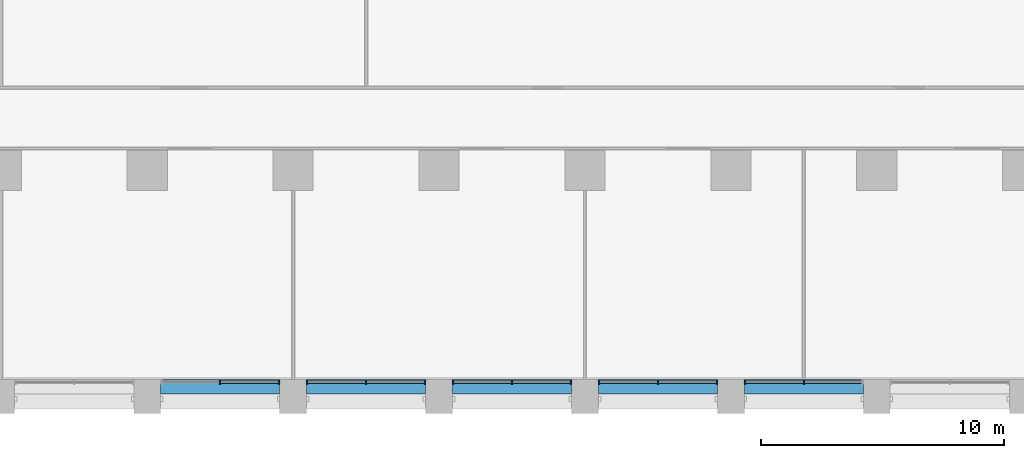
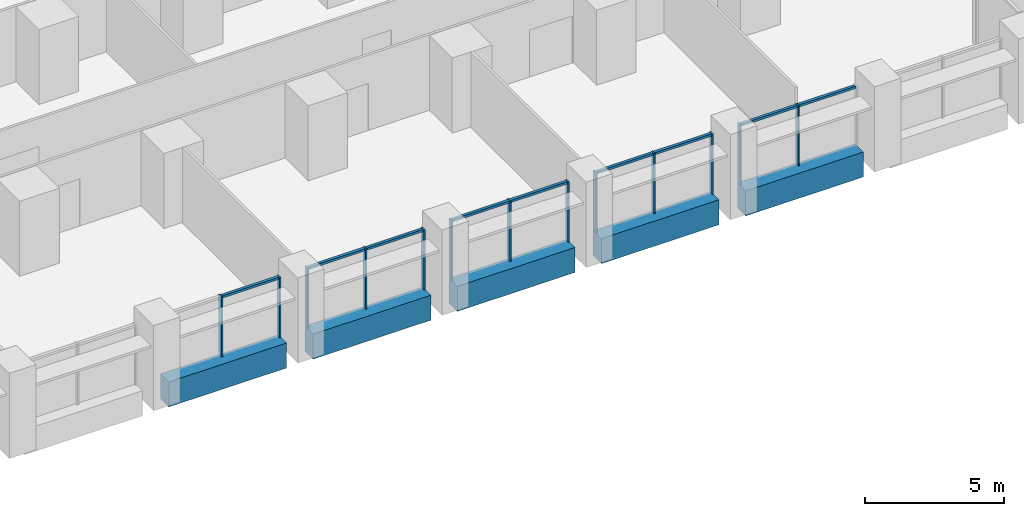
# One storey, part 3 of 18: 22 members, 5 beams, 5 elements without a shape of their own.
"""IFC4 building model written with IfcOpenShell, lengths in metres."""

from ifc_helpers import new_model, si_unit, direction, frame, origin, origin_2d, place, context, subcontext, project, spatial, rectangle, extrude, material, material_profile, profile_set, type_object, element, aggregate, save


model = new_model("IFC4")

# Units and contexts
model_context = context("Model", 3, precision=1e-05, world=origin(), true_north=direction((0.0, 1.0)))
body_context = subcontext(model_context, "Body", "Model", "MODEL_VIEW")
ifc_project = project(units=[si_unit("LENGTHUNIT", "METRE"), si_unit("AREAUNIT", "SQUARE_METRE"), si_unit("VOLUMEUNIT", "CUBIC_METRE"), si_unit("PLANEANGLEUNIT", "RADIAN"), si_unit("MASSUNIT", "GRAM", prefix="KILO")], contexts=[model_context])

# Site, building, storey
site_placement = place(None, origin())
site = spatial("IfcSite", under=ifc_project, at=site_placement, CompositionType="ELEMENT")
building_placement = place(site_placement, origin())
building = spatial("IfcBuilding", under=site, at=building_placement, Name="Calvaro Tower", CompositionType="ELEMENT")
storey_placement = place(building_placement, frame((0.0, 0.0, 56.25)))
storey = spatial("IfcBuildingStorey", under=building, at=storey_placement, Name="L13", CompositionType="ELEMENT", Elevation=56.25)

# Curtain wall, members
ifc_material_1 = material(Name="Anodised aluminium", Category="aluminium")
curtain_wall_type = type_object("IfcCurtainWallType", Name="Office curtain wall, lower zone", PredefinedType="NOTDEFINED", material=ifc_material_1)
curtain_wall_1_placement = place(storey_placement, origin())
curtain_wall_1 = element("IfcCurtainWall", 1, at=curtain_wall_1_placement, inside=storey, type_object=curtain_wall_type, Name="CW1 south curtain wall", PredefinedType="NOTDEFINED")
ifc_material_2 = material(Name="Anodised aluminium", Category="aluminium")
ifc_material_profile_1 = material_profile(ifc_material_2, rectangle(XDim=0.199951171875, YDim=0.06005859375, at=origin_2d()), Name="Mullion S1 60 x 200")
ifc_profile_set_1 = profile_set([ifc_material_profile_1], Name="Anodised aluminium")
member_type_1 = type_object("IfcMemberType", Name="Mullion S1 60 x 200", PredefinedType="MULLION", material=ifc_profile_set_1)
member_1_placement = place(storey_placement, frame((39.0, 1.300048828125, 0.0), z_axis=(0.0, 0.0, 1.0), x_axis=(0.0, 1.0, 0.0)))
member_1 = element("IfcMember", 2, at=member_1_placement, type_object=member_type_1, Name="CW1 mullion 2", PredefinedType="MULLION", context=body_context, shape_type="SweptSolid", body=[
    extrude(rectangle(XDim=0.199951171875, YDim=0.06005859375, at=origin_2d()), origin(), (0.0, 0.0, 1.0), 2.64990234375),
])
member_2_placement = place(storey_placement, frame((41.419921875, 1.300048828125, 0.0), z_axis=(0.0, 0.0, 1.0), x_axis=(0.0, 1.0, 0.0)))
member_2 = element("IfcMember", 3, at=member_2_placement, type_object=member_type_1, Name="CW1 mullion 3", PredefinedType="MULLION", context=body_context, shape_type="SweptSolid", body=[
    extrude(rectangle(XDim=0.199951171875, YDim=0.06005859375, at=origin_2d()), origin(), (0.0, 0.0, 1.0), 2.64990234375),
])

curtain_wall_2_placement = place(storey_placement, origin())
curtain_wall_2 = element("IfcCurtainWall", 4, at=curtain_wall_2_placement, inside=storey, type_object=curtain_wall_type, Name="CW1 south curtain wall", PredefinedType="NOTDEFINED")
member_3_placement = place(storey_placement, frame((42.580078125, 1.300048828125, 0.0), z_axis=(0.0, 0.0, 1.0), x_axis=(0.0, 1.0, 0.0)))
member_3 = element("IfcMember", 5, at=member_3_placement, type_object=member_type_1, Name="CW1 mullion 1", PredefinedType="MULLION", context=body_context, shape_type="SweptSolid", body=[
    extrude(rectangle(XDim=0.199951171875, YDim=0.06005859375, at=origin_2d()), origin(), (0.0, 0.0, 1.0), 2.64990234375),
])
member_4_placement = place(storey_placement, frame((45.0, 1.300048828125, 0.0), z_axis=(0.0, 0.0, 1.0), x_axis=(0.0, 1.0, 0.0)))
member_4 = element("IfcMember", 6, at=member_4_placement, type_object=member_type_1, Name="CW1 mullion 2", PredefinedType="MULLION", context=body_context, shape_type="SweptSolid", body=[
    extrude(rectangle(XDim=0.199951171875, YDim=0.06005859375, at=origin_2d()), origin(), (0.0, 0.0, 1.0), 2.64990234375),
])
member_5_placement = place(storey_placement, frame((47.419921875, 1.300048828125, 0.0), z_axis=(0.0, 0.0, 1.0), x_axis=(0.0, 1.0, 0.0)))
member_5 = element("IfcMember", 7, at=member_5_placement, type_object=member_type_1, Name="CW1 mullion 3", PredefinedType="MULLION", context=body_context, shape_type="SweptSolid", body=[
    extrude(rectangle(XDim=0.199951171875, YDim=0.06005859375, at=origin_2d()), origin(), (0.0, 0.0, 1.0), 2.64990234375),
])

curtain_wall_3_placement = place(storey_placement, origin())
curtain_wall_3 = element("IfcCurtainWall", 8, at=curtain_wall_3_placement, inside=storey, type_object=curtain_wall_type, Name="CW1 south curtain wall", PredefinedType="NOTDEFINED")
member_6_placement = place(storey_placement, frame((48.580078125, 1.300048828125, 0.0), z_axis=(0.0, 0.0, 1.0), x_axis=(0.0, 1.0, 0.0)))
member_6 = element("IfcMember", 9, at=member_6_placement, type_object=member_type_1, Name="CW1 mullion 1", PredefinedType="MULLION", context=body_context, shape_type="SweptSolid", body=[
    extrude(rectangle(XDim=0.199951171875, YDim=0.06005859375, at=origin_2d()), origin(), (0.0, 0.0, 1.0), 2.64990234375),
])
member_7_placement = place(storey_placement, frame((51.0, 1.300048828125, 0.0), z_axis=(0.0, 0.0, 1.0), x_axis=(0.0, 1.0, 0.0)))
member_7 = element("IfcMember", 10, at=member_7_placement, type_object=member_type_1, Name="CW1 mullion 2", PredefinedType="MULLION", context=body_context, shape_type="SweptSolid", body=[
    extrude(rectangle(XDim=0.199951171875, YDim=0.06005859375, at=origin_2d()), origin(), (0.0, 0.0, 1.0), 2.64990234375),
])
member_8_placement = place(storey_placement, frame((53.419921875, 1.300048828125, 0.0), z_axis=(0.0, 0.0, 1.0), x_axis=(0.0, 1.0, 0.0)))
member_8 = element("IfcMember", 11, at=member_8_placement, type_object=member_type_1, Name="CW1 mullion 3", PredefinedType="MULLION", context=body_context, shape_type="SweptSolid", body=[
    extrude(rectangle(XDim=0.199951171875, YDim=0.06005859375, at=origin_2d()), origin(), (0.0, 0.0, 1.0), 2.64990234375),
])

curtain_wall_4_placement = place(storey_placement, origin())
curtain_wall_4 = element("IfcCurtainWall", 12, at=curtain_wall_4_placement, inside=storey, type_object=curtain_wall_type, Name="CW1 south curtain wall", PredefinedType="NOTDEFINED")
member_9_placement = place(storey_placement, frame((54.580078125, 1.300048828125, 0.0), z_axis=(0.0, 0.0, 1.0), x_axis=(0.0, 1.0, 0.0)))
member_9 = element("IfcMember", 13, at=member_9_placement, type_object=member_type_1, Name="CW1 mullion 1", PredefinedType="MULLION", context=body_context, shape_type="SweptSolid", body=[
    extrude(rectangle(XDim=0.199951171875, YDim=0.06005859375, at=origin_2d()), origin(), (0.0, 0.0, 1.0), 2.64990234375),
])
member_10_placement = place(storey_placement, frame((57.0, 1.300048828125, 0.0), z_axis=(0.0, 0.0, 1.0), x_axis=(0.0, 1.0, 0.0)))
member_10 = element("IfcMember", 14, at=member_10_placement, type_object=member_type_1, Name="CW1 mullion 2", PredefinedType="MULLION", context=body_context, shape_type="SweptSolid", body=[
    extrude(rectangle(XDim=0.199951171875, YDim=0.06005859375, at=origin_2d()), origin(), (0.0, 0.0, 1.0), 2.64990234375),
])
member_11_placement = place(storey_placement, frame((59.419921875, 1.300048828125, 0.0), z_axis=(0.0, 0.0, 1.0), x_axis=(0.0, 1.0, 0.0)))
member_11 = element("IfcMember", 15, at=member_11_placement, type_object=member_type_1, Name="CW1 mullion 3", PredefinedType="MULLION", context=body_context, shape_type="SweptSolid", body=[
    extrude(rectangle(XDim=0.199951171875, YDim=0.06005859375, at=origin_2d()), origin(), (0.0, 0.0, 1.0), 2.64990234375),
])

curtain_wall_5_placement = place(storey_placement, origin())
curtain_wall_5 = element("IfcCurtainWall", 16, at=curtain_wall_5_placement, inside=storey, type_object=curtain_wall_type, Name="CW1 south curtain wall", PredefinedType="NOTDEFINED")
member_12_placement = place(storey_placement, frame((60.580078125, 1.300048828125, 0.0), z_axis=(0.0, 0.0, 1.0), x_axis=(0.0, 1.0, 0.0)))
member_12 = element("IfcMember", 17, at=member_12_placement, type_object=member_type_1, Name="CW1 mullion 1", PredefinedType="MULLION", context=body_context, shape_type="SweptSolid", body=[
    extrude(rectangle(XDim=0.199951171875, YDim=0.06005859375, at=origin_2d()), origin(), (0.0, 0.0, 1.0), 2.64990234375),
])
member_13_placement = place(storey_placement, frame((63.0, 1.300048828125, 0.0), z_axis=(0.0, 0.0, 1.0), x_axis=(0.0, 1.0, 0.0)))
member_13 = element("IfcMember", 18, at=member_13_placement, type_object=member_type_1, Name="CW1 mullion 2", PredefinedType="MULLION", context=body_context, shape_type="SweptSolid", body=[
    extrude(rectangle(XDim=0.199951171875, YDim=0.06005859375, at=origin_2d()), origin(), (0.0, 0.0, 1.0), 2.64990234375),
])

# Beams
ifc_material_3 = material(Name="Concrete C50/60 precast", Category="concrete")
ifc_material_profile_2 = material_profile(ifc_material_3, rectangle(XDim=0.60009765625, YDim=1.10009765625, at=origin_2d()), Name="RC 600x1100")
ifc_profile_set_2 = profile_set([ifc_material_profile_2], Name="Concrete C50/60 precast")
beam_type = type_object("IfcBeamType", Name="Spandrel beam 600x1100 C50/60", PredefinedType="SPANDREL", material=ifc_profile_set_2)
for number, where, z_axis, x_axis, name in (
    (19, (36.550048828125, 1.10009765625, -0.550048828125), (1.0, 0.0, 0.0), (0.0, 1.0, 0.0), "Spandrel beam"),
    (20, (42.550048828125, 1.10009765625, -0.550048828125), (1.0, 0.0, 0.0), (0.0, 1.0, 0.0), "Spandrel beam"),
    (21, (48.550048828125, 1.10009765625, -0.550048828125), (1.0, 0.0, 0.0), (0.0, 1.0, 0.0), "Spandrel beam"),
    (22, (54.550048828125, 1.10009765625, -0.550048828125), (1.0, 0.0, 0.0), (0.0, 1.0, 0.0), "Spandrel beam"),
    (23, (60.550048828125, 1.10009765625, -0.550048828125), (1.0, 0.0, 0.0), (0.0, 1.0, 0.0), "Spandrel beam"),
):
    element("IfcBeam", number, at=place(storey_placement, frame(where, z_axis=z_axis, x_axis=x_axis)), inside=storey, type_object=beam_type, Name=name, PredefinedType="SPANDREL", context=body_context, shape_type="SweptSolid", body=[
        extrude(rectangle(XDim=0.60009765625, YDim=1.10009765625, at=origin_2d()), origin(), (0.0, 0.0, 1.0), 4.89990234375),
    ])

# Member
ifc_material_4 = material(Name="Anodised aluminium", Category="aluminium")
ifc_material_profile_3 = material_profile(ifc_material_4, rectangle(XDim=0.1201171875, YDim=0.10009765625, at=origin_2d()), Name="Transom S1 100 x 120")
ifc_profile_set_3 = profile_set([ifc_material_profile_3], Name="Anodised aluminium")
member_type_2 = type_object("IfcMemberType", Name="Transom S1 100 x 120", PredefinedType="USERDEFINED", material=ifc_profile_set_3)
member_14_placement = place(storey_placement, frame((39.030029296875, 1.300048828125, 2.60009765625), z_axis=(1.0, 0.0, 0.0), x_axis=(0.0, 1.0, 0.0)))
member_14 = element("IfcMember", 24, at=member_14_placement, type_object=member_type_2, Name="CW1 transom 2.1", ObjectType="TRANSOM", PredefinedType="USERDEFINED", context=body_context, shape_type="SweptSolid", body=[
    extrude(rectangle(XDim=0.1201171875, YDim=0.10009765625, at=origin_2d()), origin(), (0.0, 0.0, 1.0), 2.35986328125),
])

aggregate(curtain_wall_1, [member_1, member_2, member_14])

member_15_placement = place(storey_placement, frame((42.610107421875, 1.300048828125, 2.60009765625), z_axis=(1.0, 0.0, 0.0), x_axis=(0.0, 1.0, 0.0)))
member_15 = element("IfcMember", 25, at=member_15_placement, type_object=member_type_2, Name="CW1 transom 1.1", ObjectType="TRANSOM", PredefinedType="USERDEFINED", context=body_context, shape_type="SweptSolid", body=[
    extrude(rectangle(XDim=0.1201171875, YDim=0.10009765625, at=origin_2d()), origin(), (0.0, 0.0, 1.0), 2.35986328125),
])

member_16_placement = place(storey_placement, frame((45.030029296875, 1.300048828125, 2.60009765625), z_axis=(1.0, 0.0, 0.0), x_axis=(0.0, 1.0, 0.0)))
member_16 = element("IfcMember", 26, at=member_16_placement, type_object=member_type_2, Name="CW1 transom 2.1", ObjectType="TRANSOM", PredefinedType="USERDEFINED", context=body_context, shape_type="SweptSolid", body=[
    extrude(rectangle(XDim=0.1201171875, YDim=0.10009765625, at=origin_2d()), origin(), (0.0, 0.0, 1.0), 2.35986328125),
])

aggregate(curtain_wall_2, [member_3, member_4, member_5, member_15, member_16])

member_17_placement = place(storey_placement, frame((48.610107421875, 1.300048828125, 2.60009765625), z_axis=(1.0, 0.0, 0.0), x_axis=(0.0, 1.0, 0.0)))
member_17 = element("IfcMember", 27, at=member_17_placement, type_object=member_type_2, Name="CW1 transom 1.1", ObjectType="TRANSOM", PredefinedType="USERDEFINED", context=body_context, shape_type="SweptSolid", body=[
    extrude(rectangle(XDim=0.1201171875, YDim=0.10009765625, at=origin_2d()), origin(), (0.0, 0.0, 1.0), 2.35986328125),
])

member_18_placement = place(storey_placement, frame((51.030029296875, 1.300048828125, 2.60009765625), z_axis=(1.0, 0.0, 0.0), x_axis=(0.0, 1.0, 0.0)))
member_18 = element("IfcMember", 28, at=member_18_placement, type_object=member_type_2, Name="CW1 transom 2.1", ObjectType="TRANSOM", PredefinedType="USERDEFINED", context=body_context, shape_type="SweptSolid", body=[
    extrude(rectangle(XDim=0.1201171875, YDim=0.10009765625, at=origin_2d()), origin(), (0.0, 0.0, 1.0), 2.35986328125),
])

aggregate(curtain_wall_3, [member_6, member_7, member_8, member_17, member_18])

member_19_placement = place(storey_placement, frame((54.610107421875, 1.300048828125, 2.60009765625), z_axis=(1.0, 0.0, 0.0), x_axis=(0.0, 1.0, 0.0)))
member_19 = element("IfcMember", 29, at=member_19_placement, type_object=member_type_2, Name="CW1 transom 1.1", ObjectType="TRANSOM", PredefinedType="USERDEFINED", context=body_context, shape_type="SweptSolid", body=[
    extrude(rectangle(XDim=0.1201171875, YDim=0.10009765625, at=origin_2d()), origin(), (0.0, 0.0, 1.0), 2.35986328125),
])

member_20_placement = place(storey_placement, frame((57.030029296875, 1.300048828125, 2.60009765625), z_axis=(1.0, 0.0, 0.0), x_axis=(0.0, 1.0, 0.0)))
member_20 = element("IfcMember", 30, at=member_20_placement, type_object=member_type_2, Name="CW1 transom 2.1", ObjectType="TRANSOM", PredefinedType="USERDEFINED", context=body_context, shape_type="SweptSolid", body=[
    extrude(rectangle(XDim=0.1201171875, YDim=0.10009765625, at=origin_2d()), origin(), (0.0, 0.0, 1.0), 2.35986328125),
])

aggregate(curtain_wall_4, [member_9, member_10, member_11, member_19, member_20])

member_21_placement = place(storey_placement, frame((60.610107421875, 1.300048828125, 2.60009765625), z_axis=(1.0, 0.0, 0.0), x_axis=(0.0, 1.0, 0.0)))
member_21 = element("IfcMember", 31, at=member_21_placement, type_object=member_type_2, Name="CW1 transom 1.1", ObjectType="TRANSOM", PredefinedType="USERDEFINED", context=body_context, shape_type="SweptSolid", body=[
    extrude(rectangle(XDim=0.1201171875, YDim=0.10009765625, at=origin_2d()), origin(), (0.0, 0.0, 1.0), 2.35986328125),
])

member_22_placement = place(storey_placement, frame((63.030029296875, 1.300048828125, 2.60009765625), z_axis=(1.0, 0.0, 0.0), x_axis=(0.0, 1.0, 0.0)))
member_22 = element("IfcMember", 32, at=member_22_placement, type_object=member_type_2, Name="CW1 transom 2.1", ObjectType="TRANSOM", PredefinedType="USERDEFINED", context=body_context, shape_type="SweptSolid", body=[
    extrude(rectangle(XDim=0.1201171875, YDim=0.10009765625, at=origin_2d()), origin(), (0.0, 0.0, 1.0), 2.35986328125),
])

aggregate(curtain_wall_5, [member_12, member_13, member_21, member_22])

save(model, "model.ifc")
